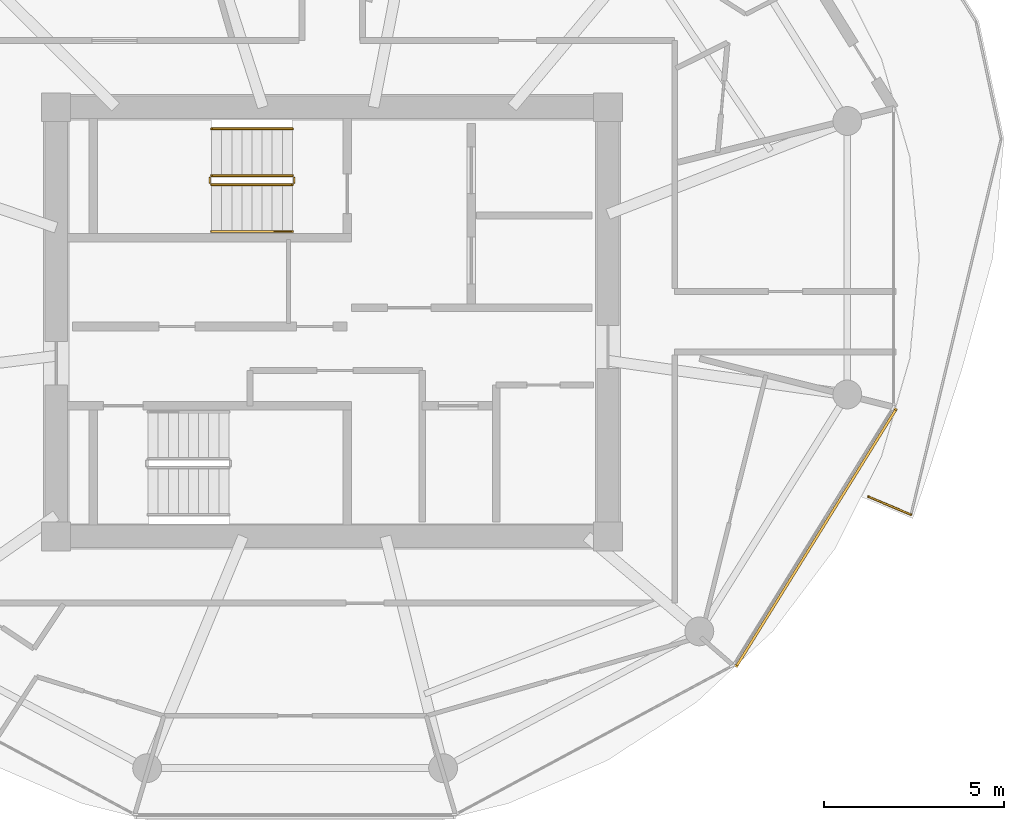
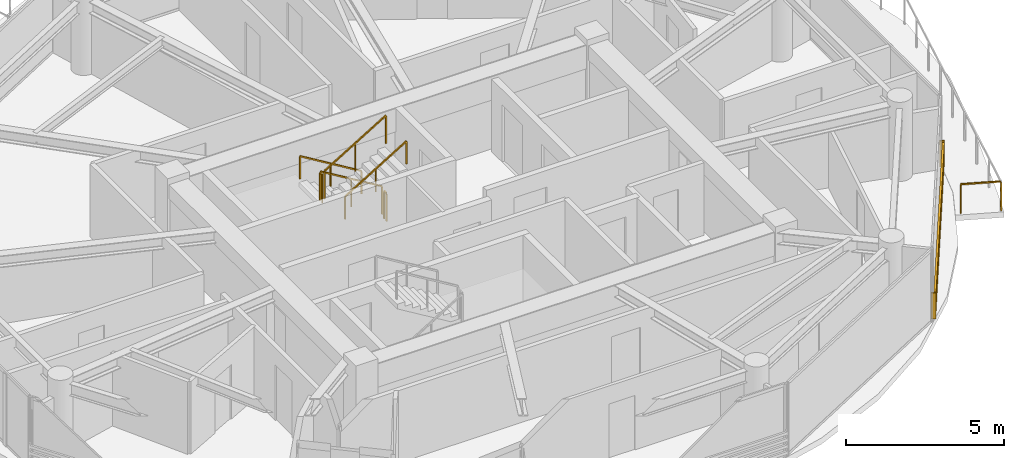
# One storey, part 22 of 23: 7 railings, 1 shading device.
"""IFC4 building model written with IfcOpenShell, lengths in metres."""

import ifcopenshell
import ifcopenshell.guid

model = None  # the IFC model being written
_history = None  # IfcOwnerHistory: only IFC2X3 demands one
_inside = {}  # id of a spatial element -> (the spatial element, [elements in it])
_under = {}  # id of a project, library or spatial element -> (it, [spatial elements below it])
_declared = {}  # id of a project -> (the project, [libraries it declares])
_typed = {}  # id of a type object -> (the type object, [elements of that type])
_made_of = {}  # id of a material, layer set ... -> (it, [elements and type objects made of it])


def new_model(schema):
    """Start an empty IFC model of exactly this schema.

    Asked for "IFC4X3", IfcOpenShell would pick the latest addendum, in which some entities
    have other attributes; the version numbers below select the first issue.
    IFC2X3 requires an IfcOwnerHistory on every rooted entity: one is made here for all.
    """
    global model, _history
    if schema == "IFC4X3":
        model = ifcopenshell.file(schema_version=(4, 3, 0, 0))
    else:
        model = ifcopenshell.file(schema=schema)
    _inside.clear()
    _under.clear()
    _declared.clear()
    _typed.clear()
    _made_of.clear()
    _history = None
    if model.schema == "IFC2X3":
        org = make("IfcOrganization", Name="unknown")
        user = make(
            "IfcPersonAndOrganization",
            ThePerson=make("IfcPerson", FamilyName="unknown"),
            TheOrganization=org,
        )
        app = make(
            "IfcApplication",
            ApplicationDeveloper=org,
            Version="unknown",
            ApplicationFullName="unknown",
            ApplicationIdentifier="unknown",
        )
        _history = make(
            "IfcOwnerHistory",
            OwningUser=user,
            OwningApplication=app,
            ChangeAction="ADDED",
            CreationDate=0,
        )
    return model


def make(cls, **values):
    """One entity of the class cls with the attributes given. An attribute that is None is left unset."""
    return model.create_entity(
        cls, **{name: value for name, value in values.items() if value is not None}
    )


def rooted(cls, **values):
    """An entity with a GlobalId (a new one), such as an element, a storey or a relation."""
    return make(cls, GlobalId=ifcopenshell.guid.new(), OwnerHistory=_history, **values)


def si_unit(unit_type, name, prefix=None):
    """IfcSIUnit, for example si_unit("LENGTHUNIT", "METRE", prefix="MILLI")."""
    return make("IfcSIUnit", UnitType=unit_type, Prefix=prefix, Name=name)


def assignment(units):
    """IfcUnitAssignment: the units of a project."""
    return None if units is None else make("IfcUnitAssignment", Units=units)


def point(xyz):
    """IfcCartesianPoint."""
    return None if xyz is None else make("IfcCartesianPoint", Coordinates=xyz)


def direction(xyz):
    """IfcDirection."""
    return None if xyz is None else make("IfcDirection", DirectionRatios=xyz)


def frame(location, z_axis=None, x_axis=None):
    """IfcAxis2Placement3D, a coordinate frame: its origin and axes. An axis left out is left unset."""
    return make(
        "IfcAxis2Placement3D",
        Location=point(location),
        Axis=direction(z_axis),
        RefDirection=direction(x_axis),
    )


def frame_2d(location, x_axis=None):
    """IfcAxis2Placement2D, a coordinate frame in the plane: its origin and x axis."""
    return make(
        "IfcAxis2Placement2D", Location=point(location), RefDirection=direction(x_axis)
    )


def origin():
    """The frame at (0, 0, 0) with its axes left unset."""
    return frame((0.0, 0.0, 0.0))


def origin_2d():
    """The frame at (0, 0) in the plane with its x axis left unset."""
    return frame_2d((0.0, 0.0))


def place(relative_to, where):
    """IfcLocalPlacement: puts the frame where relative to a parent placement (None: the world)."""
    return make(
        "IfcLocalPlacement", PlacementRelTo=relative_to, RelativePlacement=where
    )


def context(
    kind, dimensions, precision=None, world=None, true_north=None, identifier=None
):
    """IfcGeometricRepresentationContext, for example the 3D "Model" context."""
    return make(
        "IfcGeometricRepresentationContext",
        ContextIdentifier=identifier,
        ContextType=kind,
        CoordinateSpaceDimension=dimensions,
        Precision=precision,
        WorldCoordinateSystem=world,
        TrueNorth=true_north,
    )


def subcontext(parent, identifier, kind, view, scale=None):
    """IfcGeometricRepresentationSubContext, for example "Body" below "Model"."""
    return make(
        "IfcGeometricRepresentationSubContext",
        ContextIdentifier=identifier,
        ContextType=kind,
        ParentContext=parent,
        TargetScale=scale,
        TargetView=view,
    )


def project(units=None, contexts=None):
    """IfcProject with its units and contexts."""
    return rooted(
        "IfcProject",
        Name="project",
        RepresentationContexts=contexts,
        UnitsInContext=assignment(units),
    )


def spatial(cls, under=None, at=None, **own):
    """A site, building, storey or space (cls), placed at a placement, below another one or the project."""
    s = rooted(cls, ObjectPlacement=at, **own)
    if under is not None:
        _under.setdefault(under.id(), (under, []))[1].append(s)
    return s


def profile(cls, at=None, kind="AREA", **sizes):
    """A parametric profile (cls). Its sizes go by their IFC names, for example OverallWidth=200.0."""
    return make(cls, ProfileType=kind, Position=at, **sizes)


def rectangle(**sizes):
    """IfcRectangleProfileDef."""
    return profile("IfcRectangleProfileDef", **sizes)


def extrude(swept, where, along, depth):
    """IfcExtrudedAreaSolid: the profile swept, set in the frame where, extruded along a direction by depth."""
    return make(
        "IfcExtrudedAreaSolid",
        SweptArea=swept,
        Position=where,
        ExtrudedDirection=direction(along),
        Depth=depth,
    )


def shape(context_of_items, identifier, shape_type, items):
    """IfcShapeRepresentation: the items that make up one representation, for example the "Body"."""
    return make(
        "IfcShapeRepresentation",
        ContextOfItems=context_of_items,
        RepresentationIdentifier=identifier,
        RepresentationType=shape_type,
        Items=items,
    )


def source(mapping_origin, context_of_items, identifier, shape_type, items):
    """IfcRepresentationMap: a shape defined once, which mapped items show again and again."""
    return make(
        "IfcRepresentationMap",
        MappingOrigin=mapping_origin,
        MappedRepresentation=shape(context_of_items, identifier, shape_type, items),
    )


def transform(
    local_origin,
    x_axis=None,
    y_axis=None,
    z_axis=None,
    scale=None,
    scale2=None,
    scale3=None,
    uniform=True,
):
    """IfcCartesianTransformationOperator3D, or its non-uniform kind. x_axis, y_axis, z_axis: its Axis1, 2, 3."""
    if uniform:
        return make(
            "IfcCartesianTransformationOperator3D",
            Axis1=direction(x_axis),
            Axis2=direction(y_axis),
            LocalOrigin=point(local_origin),
            Scale=scale,
            Axis3=direction(z_axis),
        )
    return make(
        "IfcCartesianTransformationOperator3DnonUniform",
        Axis1=direction(x_axis),
        Axis2=direction(y_axis),
        LocalOrigin=point(local_origin),
        Scale=scale,
        Axis3=direction(z_axis),
        Scale2=scale2,
        Scale3=scale3,
    )


def mapped(mapping_source, mapping_target):
    """IfcMappedItem: shows the shape of a source again, moved by a transform."""
    return make(
        "IfcMappedItem", MappingSource=mapping_source, MappingTarget=mapping_target
    )


def material(Name=None, Category=None):
    """IfcMaterial."""
    return make("IfcMaterial", Name=Name, Category=Category)


def made_of(thing, what):
    """Note that an element or type object is made of a material, layer set ...; save() writes the relation."""
    if what is not None:
        _made_of.setdefault(what.id(), (what, []))[1].append(thing)
    return thing


def type_object(cls, material=None, **own):
    """A type object (cls), such as IfcWallType, which elements share."""
    return made_of(rooted(cls, **own), material)


def type_shapes(of_type, sources):
    """Give a type object the sources (RepresentationMaps) that its elements show as mapped items."""
    of_type.RepresentationMaps = sources


def element(
    cls,
    number,
    at=None,
    inside=None,
    cuts=None,
    type_object=None,
    material=None,
    context=None,
    identifier="Body",
    shape_type=None,
    held_by="IfcProductDefinitionShape",
    body=None,
    shapes=None,
    **own,
):
    """One element of the class cls, such as IfcWall. Its Tag is "e" and its number.

    at: its placement. inside: the storey or other place that contains it. cuts: it is an
    opening in that element (IfcRelVoidsElement). A single representation is given by context,
    identifier, shape_type and body (its items); several are given by shapes. held_by: the class
    of the entity that holds the representations. save() writes the other relations.
    """
    e = rooted(cls, Tag="e%d" % number, ObjectPlacement=at, **own)
    if body is not None:
        shapes = [shape(context, identifier, shape_type, body)]
    if shapes is not None:
        e.Representation = make(held_by, Representations=shapes)
    if inside is not None:
        _inside.setdefault(inside.id(), (inside, []))[1].append(e)
    if cuts is not None:
        rooted(
            "IfcRelVoidsElement", RelatingBuildingElement=cuts, RelatedOpeningElement=e
        )
    if type_object is not None:
        _typed.setdefault(type_object.id(), (type_object, []))[1].append(e)
    return made_of(e, material)


def aggregate(whole, parts):
    """IfcRelAggregates: a whole, such as a stair, and the parts it consists of."""
    return rooted("IfcRelAggregates", RelatingObject=whole, RelatedObjects=parts)


def save(model, path):
    """Write the relations noted so far, then the file.

    IfcRelAggregates (storeys below a building ...), IfcRelContainedInSpatialStructure (elements
    in a storey), IfcRelDefinesByType, IfcRelAssociatesMaterial and IfcRelDeclares: one each for
    every whole, place, type object, material and project.
    """
    for whole, parts in _under.values():
        aggregate(whole, parts)
    for where, things in _inside.values():
        rooted(
            "IfcRelContainedInSpatialStructure",
            RelatedElements=things,
            RelatingStructure=where,
        )
    for kind, things in _typed.values():
        rooted("IfcRelDefinesByType", RelatedObjects=things, RelatingType=kind)
    for what, things in _made_of.values():
        rooted("IfcRelAssociatesMaterial", RelatedObjects=things, RelatingMaterial=what)
    for by, libraries in _declared.values():
        rooted("IfcRelDeclares", RelatingContext=by, RelatedDefinitions=libraries)
    model.write(path)


model = new_model("IFC4")

# Units and contexts
model_context = context("Model", 3, precision=1e-05, world=origin(), true_north=direction((0.0, 1.0)))
body_context = subcontext(model_context, "Body", "Model", "MODEL_VIEW")
ifc_project = project(units=[si_unit("LENGTHUNIT", "METRE"), si_unit("AREAUNIT", "SQUARE_METRE"), si_unit("VOLUMEUNIT", "CUBIC_METRE"), si_unit("PLANEANGLEUNIT", "RADIAN"), si_unit("MASSUNIT", "GRAM", prefix="KILO")], contexts=[model_context])

# Site, building, storey
site_placement = place(None, origin())
site = spatial("IfcSite", under=ifc_project, at=site_placement, CompositionType="ELEMENT")
building_placement = place(site_placement, origin())
building = spatial("IfcBuilding", under=site, at=building_placement, Name="Norrkilde Senior Care Towers", CompositionType="ELEMENT")
storey_placement = place(building_placement, frame((0.0, 0.0, 173.949951171875)))
storey = spatial("IfcBuildingStorey", under=building, at=storey_placement, Name="L54", CompositionType="ELEMENT", Elevation=173.949951171875)

# Railings
ifc_material_1 = material(Name="Anodised Aluminium", Category="aluminium")
railing_type_1 = type_object("IfcRailingType", Name="Balcony Swirl Ribbon Guardrail 1150", PredefinedType="GUARDRAIL", material=ifc_material_1)
railing_1_placement = place(storey_placement, frame((44.0517578125, -5.349365234375, 0.0)))
element("IfcRailing", 1, at=railing_1_placement, inside=storey, type_object=railing_type_1, Name="L54 Perimeter Safety Guard 01", PredefinedType="GUARDRAIL", context=body_context, shape_type="SweptSolid", body=[
    extrude(rectangle(XDim=0.048095703125, YDim=0.048095703125, at=origin_2d()), frame((0.0, 0.0, 1.1259765625), z_axis=(-0.921222237718, 0.38903674471, 0.0), x_axis=(-0.38903674471, -0.921222237718, 0.0)), (0.0, 0.0, 1.0), 1.28076171875),
    extrude(rectangle(XDim=0.0419921875, YDim=0.0419921875, at=origin_2d()), origin(), (0.0, 0.0, 1.0), 1.099853515625),
    extrude(rectangle(XDim=0.0419921875, YDim=0.0419921875, at=origin_2d()), frame((-1.179931640625, 0.498291015625, 0.0)), (0.0, 0.0, 1.0), 1.099853515625),
])
ifc_material_2 = material(Name="Stainless Steel", Category="steel")
railing_type_2 = type_object("IfcRailingType", Name="Stair and Terrace Guardrail 1100", PredefinedType="GUARDRAIL", material=ifc_material_2)
railing_2_placement = place(storey_placement, frame((26.89990234375, 4.050048828125, 0.16943359375)))
element("IfcRailing", 2, at=railing_2_placement, inside=storey, type_object=railing_type_2, Name="L54 ST-E1 stair guard 1", PredefinedType="GUARDRAIL", context=body_context, shape_type="SweptSolid", body=[
    extrude(rectangle(XDim=0.048095703125, YDim=0.048095703125, at=origin_2d()), frame((0.0, 0.0, 1.076171875), z_axis=(-0.855512035549, 0.0, 0.517782924622), x_axis=(0.0, -1.0, 0.0)), (0.0, 0.0, 1.0), 2.618408203125),
    extrude(rectangle(XDim=0.0419921875, YDim=0.0419921875, at=origin_2d()), origin(), (0.0, 0.0, 1.0), 1.050048828125),
    extrude(rectangle(XDim=0.0419921875, YDim=0.0419921875, at=origin_2d()), frame((-1.1201171875, 0.0, 0.677734375)), (0.0, 0.0, 1.0), 1.050048828125),
    extrude(rectangle(XDim=0.0419921875, YDim=0.0419921875, at=origin_2d()), frame((-2.239990234375, 0.0, 1.355712890625)), (0.0, 0.0, 1.0), 1.050048828125),
])
railing_3_placement = place(storey_placement, frame((24.610107421875, 4.0, 1.525146484375)))
element("IfcRailing", 3, at=railing_3_placement, inside=storey, type_object=railing_type_2, Name="L54 ST-E1 stair guard 2", PredefinedType="GUARDRAIL", context=body_context, shape_type="SweptSolid", body=[
    extrude(rectangle(XDim=0.048095703125, YDim=0.048095703125, at=origin_2d()), frame((0.0, 0.0, 1.076171875), z_axis=(0.0, -1.0, 0.0), x_axis=(1.0, 0.0, 0.0)), (0.0, 0.0, 1.0), 0.14990234375),
    extrude(rectangle(XDim=0.0419921875, YDim=0.0419921875, at=origin_2d()), origin(), (0.0, 0.0, 1.0), 1.050048828125),
    extrude(rectangle(XDim=0.0419921875, YDim=0.0419921875, at=origin_2d()), frame((0.0, -0.14990234375, 0.0)), (0.0, 0.0, 1.0), 1.050048828125),
])
railing_4_placement = place(storey_placement, frame((24.659912109375, 3.800048828125, 1.694580078125)))
element("IfcRailing", 4, at=railing_4_placement, inside=storey, type_object=railing_type_2, Name="L54 ST-E1 stair guard 3", PredefinedType="GUARDRAIL", context=body_context, shape_type="SweptSolid", body=[
    extrude(rectangle(XDim=0.048095703125, YDim=0.048095703125, at=origin_2d()), frame((0.0, 0.0, 1.076171875), z_axis=(0.855553338991, 0.0, 0.51771467445), x_axis=(0.0, 1.0, 0.0)), (0.0, 0.0, 1.0), 2.6181640625),
    extrude(rectangle(XDim=0.0419921875, YDim=0.0419921875, at=origin_2d()), origin(), (0.0, 0.0, 1.0), 1.050048828125),
    extrude(rectangle(XDim=0.0419921875, YDim=0.0419921875, at=origin_2d()), frame((1.1201171875, 0.0, 0.677734375)), (0.0, 0.0, 1.0), 1.050048828125),
    extrude(rectangle(XDim=0.0419921875, YDim=0.0419921875, at=origin_2d()), frame((2.239990234375, 0.0, 1.35546875)), (0.0, 0.0, 1.0), 1.050048828125),
])
railing_5_placement = place(storey_placement, frame((26.949951171875, 4.0, 0.0)))
element("IfcRailing", 5, at=railing_5_placement, inside=storey, type_object=railing_type_2, Name="L54 ST-E1 stair guard 4", PredefinedType="GUARDRAIL", context=body_context, shape_type="SweptSolid", body=[
    extrude(rectangle(XDim=0.048095703125, YDim=0.048095703125, at=origin_2d()), frame((0.0, 0.0, 1.076171875), z_axis=(0.0, -1.0, 0.0), x_axis=(1.0, 0.0, 0.0)), (0.0, 0.0, 1.0), 0.14990234375),
    extrude(rectangle(XDim=0.0419921875, YDim=0.0419921875, at=origin_2d()), origin(), (0.0, 0.0, 1.0), 1.050048828125),
    extrude(rectangle(XDim=0.0419921875, YDim=0.0419921875, at=origin_2d()), frame((0.0, -0.14990234375, 0.0)), (0.0, 0.0, 1.0), 1.050048828125),
])
ifc_material_3 = material(Name="Nordic Ash Timber", Category="wood")
railing_type_3 = type_object("IfcRailingType", Name="Wall and Stair Handrail 900", PredefinedType="HANDRAIL", material=ifc_material_3)
railing_6_placement = place(storey_placement, frame((26.89990234375, 5.35009765625, 0.16943359375)))
element("IfcRailing", 6, at=railing_6_placement, inside=storey, type_object=railing_type_3, Name="L54 ST-E1 stair handrail 1", PredefinedType="HANDRAIL", context=body_context, shape_type="SweptSolid", body=[
    extrude(rectangle(XDim=0.048095703125, YDim=0.048095703125, at=origin_2d()), frame((0.0, 0.0, 0.8759765625), z_axis=(-0.855512035549, 0.0, 0.517782924622), x_axis=(0.0, -1.0, 0.0)), (0.0, 0.0, 1.0), 2.618408203125),
    extrude(rectangle(XDim=0.0419921875, YDim=0.0419921875, at=origin_2d()), origin(), (0.0, 0.0, 1.0), 0.849853515625),
    extrude(rectangle(XDim=0.0419921875, YDim=0.0419921875, at=origin_2d()), frame((-1.1201171875, 0.0, 0.677734375)), (0.0, 0.0, 1.0), 0.849853515625),
    extrude(rectangle(XDim=0.0419921875, YDim=0.0419921875, at=origin_2d()), frame((-2.239990234375, 0.0, 1.355712890625)), (0.0, 0.0, 1.0), 0.849853515625),
])
railing_7_placement = place(storey_placement, frame((24.659912109375, 2.5, 1.694580078125)))
element("IfcRailing", 7, at=railing_7_placement, inside=storey, type_object=railing_type_3, Name="L54 ST-E1 stair handrail 2", PredefinedType="HANDRAIL", context=body_context, shape_type="SweptSolid", body=[
    extrude(rectangle(XDim=0.048095703125, YDim=0.048095703125, at=origin_2d()), frame((0.0, 0.0, 0.8759765625), z_axis=(0.855553338991, 0.0, 0.51771467445), x_axis=(0.0, 1.0, 0.0)), (0.0, 0.0, 1.0), 2.6181640625),
    extrude(rectangle(XDim=0.0419921875, YDim=0.0419921875, at=origin_2d()), origin(), (0.0, 0.0, 1.0), 0.849853515625),
    extrude(rectangle(XDim=0.0419921875, YDim=0.0419921875, at=origin_2d()), frame((1.1201171875, 0.0, 0.677734375)), (0.0, 0.0, 1.0), 0.849853515625),
    extrude(rectangle(XDim=0.0419921875, YDim=0.0419921875, at=origin_2d()), frame((2.239990234375, 0.0, 1.35546875)), (0.0, 0.0, 1.0), 0.849853515625),
])

# Shading device
ifc_material_4 = material(Name="Architectural Terracotta", Category="masonry")
shading_device_type = type_object("IfcShadingDeviceType", Name="Horizontal Terracotta Baguette Rack", PredefinedType="USERDEFINED", material=ifc_material_4)
shared_shape = source(origin(), body_context, "Body", "SweptSolid", [
    extrude(rectangle(XDim=0.070068359375, YDim=0.110107421875, at=origin_2d()), frame((0.0, 0.090087890625, 0.125), z_axis=(1.0, 0.0, 0.0), x_axis=(0.0, 1.0, 0.0)), (0.0, 0.0, 1.0), 8.431396484375),
    extrude(rectangle(XDim=0.070068359375, YDim=0.110107421875, at=origin_2d()), frame((0.0, 0.090087890625, 0.375), z_axis=(1.0, 0.0, 0.0), x_axis=(0.0, 1.0, 0.0)), (0.0, 0.0, 1.0), 8.431396484375),
    extrude(rectangle(XDim=0.070068359375, YDim=0.110107421875, at=origin_2d()), frame((0.0, 0.090087890625, 0.625), z_axis=(1.0, 0.0, 0.0), x_axis=(0.0, 1.0, 0.0)), (0.0, 0.0, 1.0), 8.431396484375),
    extrude(rectangle(XDim=0.070068359375, YDim=0.110107421875, at=origin_2d()), frame((0.0, 0.090087890625, 0.875), z_axis=(1.0, 0.0, 0.0), x_axis=(0.0, 1.0, 0.0)), (0.0, 0.0, 1.0), 8.431396484375),
    extrude(rectangle(XDim=0.050048828125, YDim=0.1552734375, at=origin_2d()), frame((0.02490234375, 0.047607421875, 0.0)), (0.0, 0.0, 1.0), 1.0),
    extrude(rectangle(XDim=0.050048828125, YDim=0.1552734375, at=origin_2d()), frame((8.40625, 0.047607421875, 0.0)), (0.0, 0.0, 1.0), 1.0),
])
type_shapes(shading_device_type, [shared_shape])
shading_device_placement = place(storey_placement, frame((43.569580078125, -2.360595703125, 0.080078125), z_axis=(0.0, 0.0, 1.0), x_axis=(-0.527378022296, -0.849630809324, 0.0)))
element("IfcShadingDevice", 8, at=shading_device_placement, inside=storey, type_object=shading_device_type, Name="L54 Drum E Terracotta Baguette Screen 10", ObjectType="BAGUETTE", PredefinedType="USERDEFINED", context=body_context, shape_type="MappedRepresentation", body=[
    mapped(shared_shape, transform((0.0, 0.0, 0.0), x_axis=(1.0, 0.0, 0.0), y_axis=(0.0, 1.0, 0.0), z_axis=(0.0, 0.0, 1.0), scale=1.0)),
])

save(model, "model.ifc")
